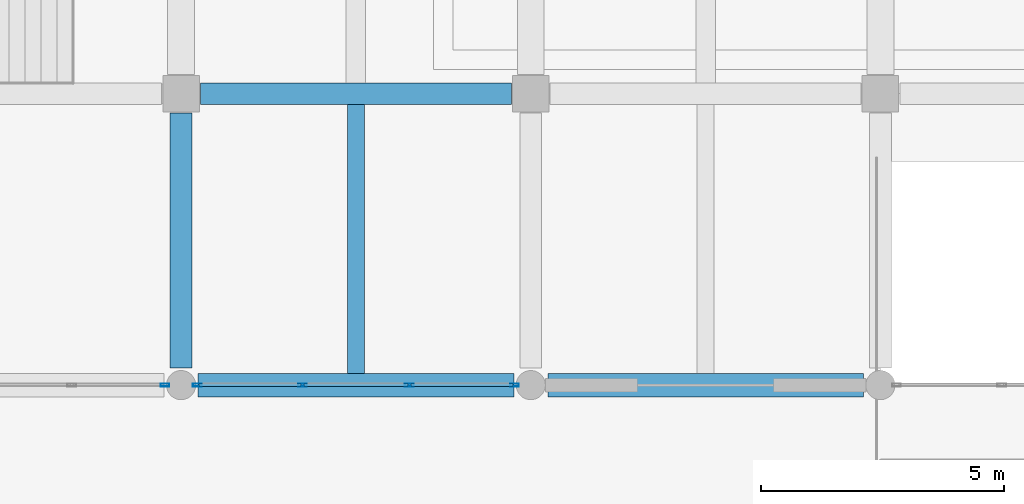
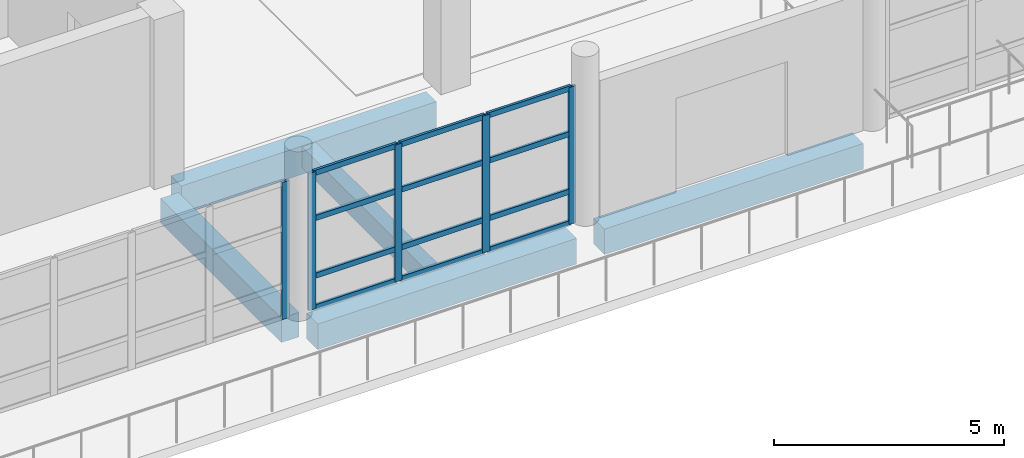
# One storey, part 5 of 71: 17 members, 5 beams, 2 elements without a shape of their own.
"""IFC4 building model written with IfcOpenShell, lengths in metres."""

from ifc_helpers import new_model, si_unit, direction, frame, origin, origin_2d, place, context, subcontext, project, spatial, rectangle, hollow_rectangle, extrude, material, material_profile, profile_set, type_object, element, aggregate, save


model = new_model("IFC4")

# Units and contexts
model_context = context("Model", 3, precision=1e-05, world=origin(), true_north=direction((0.0, 1.0)))
body_context = subcontext(model_context, "Body", "Model", "MODEL_VIEW")
ifc_project = project(units=[si_unit("LENGTHUNIT", "METRE"), si_unit("AREAUNIT", "SQUARE_METRE"), si_unit("VOLUMEUNIT", "CUBIC_METRE"), si_unit("PLANEANGLEUNIT", "RADIAN"), si_unit("MASSUNIT", "GRAM", prefix="KILO")], contexts=[model_context])

# Site, building, storey
site_placement = place(None, origin())
site = spatial("IfcSite", under=ifc_project, at=site_placement, CompositionType="ELEMENT")
building_placement = place(site_placement, origin())
building = spatial("IfcBuilding", under=site, at=building_placement, Name="Pellamere Symphony Hall", CompositionType="ELEMENT")
storey_placement = place(building_placement, frame((0.0, 0.0, 15.0)))
storey = spatial("IfcBuildingStorey", under=building, at=storey_placement, Name="L03", CompositionType="ELEMENT", Elevation=15.0)

# Curtain wall, member
ifc_material_1 = material(Name="Thermally Broken Anodised Aluminium 6063-T6 Curtain Wall", Category="aluminium")
curtain_wall_type = type_object("IfcCurtainWallType", Name="Curtain Wall CW-02 (Winter-Garden South Concourse Curtain Wall)", PredefinedType="NOTDEFINED", material=ifc_material_1)
curtain_wall_1_placement = place(storey_placement, origin())
curtain_wall_1 = element("IfcCurtainWall", 1, at=curtain_wall_1_placement, inside=storey, type_object=curtain_wall_type, Name="Winter-Garden South Curtain Wall (L03 Bay 2)", PredefinedType="NOTDEFINED")
ifc_material_2 = material(Name="Anodised Architectural Aluminium 6063-T6", Category="aluminium")
ifc_material_profile_1 = material_profile(ifc_material_2, hollow_rectangle(XDim=0.06494140625, YDim=0.179931640625, WallThickness=0.00390625, at=origin_2d()), Name="ALU-M65X180X4")
ifc_profile_set_1 = profile_set([ifc_material_profile_1], Name="Anodised Architectural Aluminium 6063-T6")
member_type_1 = type_object("IfcMemberType", Name="Curtain Wall Mullion ML-02 ALU-M65X180X4", PredefinedType="MULLION", material=ifc_profile_set_1)
member_1_placement = place(storey_placement, frame((58.467529296875, 24.0, 0.0), z_axis=(0.0, 0.0, 1.0), x_axis=(0.0, 1.0, 0.0)))
member_1 = element("IfcMember", 2, at=member_1_placement, type_object=member_type_1, Name="CW2-087 crystal mullion 5", PredefinedType="MULLION", context=body_context, shape_type="SweptSolid", body=[
    extrude(hollow_rectangle(XDim=0.06494140625, YDim=0.179931640625, WallThickness=0.00390625, at=origin_2d()), origin(), (0.0, 0.0, 1.0), 3.639892578125),
])
aggregate(curtain_wall_1, [member_1])

# Curtain wall, members
curtain_wall_2_placement = place(storey_placement, origin())
curtain_wall_2 = element("IfcCurtainWall", 3, at=curtain_wall_2_placement, inside=storey, type_object=curtain_wall_type, Name="Winter-Garden South Curtain Wall (L03 Bay 3)", PredefinedType="NOTDEFINED")
member_2_placement = place(storey_placement, frame((59.132568359375, 24.0, 0.0), z_axis=(0.0, 0.0, 1.0), x_axis=(0.0, 1.0, 0.0)))
member_2 = element("IfcMember", 4, at=member_2_placement, type_object=member_type_1, Name="CW2-088 crystal mullion 1", PredefinedType="MULLION", context=body_context, shape_type="SweptSolid", body=[
    extrude(hollow_rectangle(XDim=0.06494140625, YDim=0.179931640625, WallThickness=0.00390625, at=origin_2d()), origin(), (0.0, 0.0, 1.0), 3.639892578125),
])
member_3_placement = place(storey_placement, frame((61.300048828125, 24.0, 0.0), z_axis=(0.0, 0.0, 1.0), x_axis=(0.0, 1.0, 0.0)))
member_3 = element("IfcMember", 5, at=member_3_placement, type_object=member_type_1, Name="CW2-088 crystal mullion 2", PredefinedType="MULLION", context=body_context, shape_type="SweptSolid", body=[
    extrude(hollow_rectangle(XDim=0.06494140625, YDim=0.179931640625, WallThickness=0.00390625, at=origin_2d()), origin(), (0.0, 0.0, 1.0), 3.639892578125),
])
member_4_placement = place(storey_placement, frame((63.5, 24.0, 0.0), z_axis=(0.0, 0.0, 1.0), x_axis=(0.0, 1.0, 0.0)))
member_4 = element("IfcMember", 6, at=member_4_placement, type_object=member_type_1, Name="CW2-088 crystal mullion 3", PredefinedType="MULLION", context=body_context, shape_type="SweptSolid", body=[
    extrude(hollow_rectangle(XDim=0.06494140625, YDim=0.179931640625, WallThickness=0.00390625, at=origin_2d()), origin(), (0.0, 0.0, 1.0), 3.639892578125),
])
member_5_placement = place(storey_placement, frame((65.66748046875, 24.0, 0.0), z_axis=(0.0, 0.0, 1.0), x_axis=(0.0, 1.0, 0.0)))
member_5 = element("IfcMember", 7, at=member_5_placement, type_object=member_type_1, Name="CW2-088 crystal mullion 4", PredefinedType="MULLION", context=body_context, shape_type="SweptSolid", body=[
    extrude(hollow_rectangle(XDim=0.06494140625, YDim=0.179931640625, WallThickness=0.00390625, at=origin_2d()), origin(), (0.0, 0.0, 1.0), 3.639892578125),
])
ifc_material_profile_2 = material_profile(ifc_material_2, hollow_rectangle(XDim=0.06494140625, YDim=0.139892578125, WallThickness=0.00390625, at=origin_2d()), Name="ALU-T65X140X4")
ifc_profile_set_2 = profile_set([ifc_material_profile_2], Name="Anodised Architectural Aluminium 6063-T6")
member_type_2 = type_object("IfcMemberType", Name="Curtain Wall Transom TR-02 ALU-T65X140X4", PredefinedType="USERDEFINED", material=ifc_profile_set_2)
member_6_placement = place(storey_placement, frame((59.1650390625, 24.0, 0.032470703125), z_axis=(1.0, 0.0, 0.0), x_axis=(0.0, 1.0, 0.0)))
member_6 = element("IfcMember", 8, at=member_6_placement, type_object=member_type_2, Name="CW2-088 crystal transom 1.1", ObjectType="TRANSOM", PredefinedType="USERDEFINED", context=body_context, shape_type="SweptSolid", body=[
    extrude(hollow_rectangle(XDim=0.06494140625, YDim=0.139892578125, WallThickness=0.00390625, at=origin_2d()), origin(), (0.0, 0.0, 1.0), 2.1025390625),
])
member_7_placement = place(storey_placement, frame((59.1650390625, 24.0, 0.87353515625), z_axis=(1.0, 0.0, 0.0), x_axis=(0.0, 1.0, 0.0)))
member_7 = element("IfcMember", 9, at=member_7_placement, type_object=member_type_2, Name="CW2-088 crystal transom 1.2", ObjectType="TRANSOM", PredefinedType="USERDEFINED", context=body_context, shape_type="SweptSolid", body=[
    extrude(hollow_rectangle(XDim=0.06494140625, YDim=0.139892578125, WallThickness=0.00390625, at=origin_2d()), origin(), (0.0, 0.0, 1.0), 2.1025390625),
])
member_8_placement = place(storey_placement, frame((59.1650390625, 24.0, 2.40234375), z_axis=(1.0, 0.0, 0.0), x_axis=(0.0, 1.0, 0.0)))
member_8 = element("IfcMember", 10, at=member_8_placement, type_object=member_type_2, Name="CW2-088 crystal transom 1.3", ObjectType="TRANSOM", PredefinedType="USERDEFINED", context=body_context, shape_type="SweptSolid", body=[
    extrude(hollow_rectangle(XDim=0.06494140625, YDim=0.139892578125, WallThickness=0.00390625, at=origin_2d()), origin(), (0.0, 0.0, 1.0), 2.1025390625),
])
member_9_placement = place(storey_placement, frame((59.1650390625, 24.0, 3.607421875), z_axis=(1.0, 0.0, 0.0), x_axis=(0.0, 1.0, 0.0)))
member_9 = element("IfcMember", 11, at=member_9_placement, type_object=member_type_2, Name="CW2-088 crystal transom 1.4", ObjectType="TRANSOM", PredefinedType="USERDEFINED", context=body_context, shape_type="SweptSolid", body=[
    extrude(hollow_rectangle(XDim=0.06494140625, YDim=0.139892578125, WallThickness=0.00390625, at=origin_2d()), origin(), (0.0, 0.0, 1.0), 2.1025390625),
])
member_10_placement = place(storey_placement, frame((61.33251953125, 24.0, 0.032470703125), z_axis=(1.0, 0.0, 0.0), x_axis=(0.0, 1.0, 0.0)))
member_10 = element("IfcMember", 12, at=member_10_placement, type_object=member_type_2, Name="CW2-088 crystal transom 2.1", ObjectType="TRANSOM", PredefinedType="USERDEFINED", context=body_context, shape_type="SweptSolid", body=[
    extrude(hollow_rectangle(XDim=0.06494140625, YDim=0.139892578125, WallThickness=0.00390625, at=origin_2d()), origin(), (0.0, 0.0, 1.0), 2.135009765625),
])
member_11_placement = place(storey_placement, frame((61.33251953125, 24.0, 0.87353515625), z_axis=(1.0, 0.0, 0.0), x_axis=(0.0, 1.0, 0.0)))
member_11 = element("IfcMember", 13, at=member_11_placement, type_object=member_type_2, Name="CW2-088 crystal transom 2.2", ObjectType="TRANSOM", PredefinedType="USERDEFINED", context=body_context, shape_type="SweptSolid", body=[
    extrude(hollow_rectangle(XDim=0.06494140625, YDim=0.139892578125, WallThickness=0.00390625, at=origin_2d()), origin(), (0.0, 0.0, 1.0), 2.135009765625),
])
member_12_placement = place(storey_placement, frame((61.33251953125, 24.0, 2.40234375), z_axis=(1.0, 0.0, 0.0), x_axis=(0.0, 1.0, 0.0)))
member_12 = element("IfcMember", 14, at=member_12_placement, type_object=member_type_2, Name="CW2-088 crystal transom 2.3", ObjectType="TRANSOM", PredefinedType="USERDEFINED", context=body_context, shape_type="SweptSolid", body=[
    extrude(hollow_rectangle(XDim=0.06494140625, YDim=0.139892578125, WallThickness=0.00390625, at=origin_2d()), origin(), (0.0, 0.0, 1.0), 2.135009765625),
])
member_13_placement = place(storey_placement, frame((61.33251953125, 24.0, 3.607421875), z_axis=(1.0, 0.0, 0.0), x_axis=(0.0, 1.0, 0.0)))
member_13 = element("IfcMember", 15, at=member_13_placement, type_object=member_type_2, Name="CW2-088 crystal transom 2.4", ObjectType="TRANSOM", PredefinedType="USERDEFINED", context=body_context, shape_type="SweptSolid", body=[
    extrude(hollow_rectangle(XDim=0.06494140625, YDim=0.139892578125, WallThickness=0.00390625, at=origin_2d()), origin(), (0.0, 0.0, 1.0), 2.135009765625),
])
member_14_placement = place(storey_placement, frame((63.532470703125, 24.0, 0.032470703125), z_axis=(1.0, 0.0, 0.0), x_axis=(0.0, 1.0, 0.0)))
member_14 = element("IfcMember", 16, at=member_14_placement, type_object=member_type_2, Name="CW2-088 crystal transom 3.1", ObjectType="TRANSOM", PredefinedType="USERDEFINED", context=body_context, shape_type="SweptSolid", body=[
    extrude(hollow_rectangle(XDim=0.06494140625, YDim=0.139892578125, WallThickness=0.00390625, at=origin_2d()), origin(), (0.0, 0.0, 1.0), 2.1025390625),
])
member_15_placement = place(storey_placement, frame((63.532470703125, 24.0, 0.87353515625), z_axis=(1.0, 0.0, 0.0), x_axis=(0.0, 1.0, 0.0)))
member_15 = element("IfcMember", 17, at=member_15_placement, type_object=member_type_2, Name="CW2-088 crystal transom 3.2", ObjectType="TRANSOM", PredefinedType="USERDEFINED", context=body_context, shape_type="SweptSolid", body=[
    extrude(hollow_rectangle(XDim=0.06494140625, YDim=0.139892578125, WallThickness=0.00390625, at=origin_2d()), origin(), (0.0, 0.0, 1.0), 2.1025390625),
])
member_16_placement = place(storey_placement, frame((63.532470703125, 24.0, 2.40234375), z_axis=(1.0, 0.0, 0.0), x_axis=(0.0, 1.0, 0.0)))
member_16 = element("IfcMember", 18, at=member_16_placement, type_object=member_type_2, Name="CW2-088 crystal transom 3.3", ObjectType="TRANSOM", PredefinedType="USERDEFINED", context=body_context, shape_type="SweptSolid", body=[
    extrude(hollow_rectangle(XDim=0.06494140625, YDim=0.139892578125, WallThickness=0.00390625, at=origin_2d()), origin(), (0.0, 0.0, 1.0), 2.1025390625),
])
member_17_placement = place(storey_placement, frame((63.532470703125, 24.0, 3.607421875), z_axis=(1.0, 0.0, 0.0), x_axis=(0.0, 1.0, 0.0)))
member_17 = element("IfcMember", 19, at=member_17_placement, type_object=member_type_2, Name="CW2-088 crystal transom 3.4", ObjectType="TRANSOM", PredefinedType="USERDEFINED", context=body_context, shape_type="SweptSolid", body=[
    extrude(hollow_rectangle(XDim=0.06494140625, YDim=0.139892578125, WallThickness=0.00390625, at=origin_2d()), origin(), (0.0, 0.0, 1.0), 2.1025390625),
])
aggregate(curtain_wall_2, [member_2, member_3, member_4, member_5, member_6, member_7, member_8, member_9, member_10, member_11, member_12, member_13, member_14, member_15, member_16, member_17])

# Beams
ifc_material_3 = material(Name="Concrete 40 MPa", Category="concrete")
ifc_material_profile_3 = material_profile(ifc_material_3, rectangle(XDim=0.449951171875, YDim=0.64990234375, at=origin_2d()), Name="RC 450x650")
ifc_profile_set_3 = profile_set([ifc_material_profile_3], Name="Concrete 40 MPa")
beam_type_1 = type_object("IfcBeamType", Name="RC CB-08 450x650", PredefinedType="BEAM", material=ifc_profile_set_3)
beam_1_placement = place(storey_placement, frame((58.800048828125, 24.35009765625, -0.5849609375), z_axis=(0.0, 1.0, 0.0), x_axis=(-1.0, 0.0, 0.0)))
element("IfcBeam", 20, at=beam_1_placement, inside=storey, type_object=beam_type_1, Name="Girder CB-08-Y1612 (L03)", PredefinedType="BEAM", context=body_context, shape_type="SweptSolid", body=[
    extrude(rectangle(XDim=0.449951171875, YDim=0.64990234375, at=origin_2d()), origin(), (0.0, 0.0, 1.0), 5.25),
])
ifc_material_4 = material(Name="Concrete 35 MPa", Category="concrete")
ifc_material_profile_4 = material_profile(ifc_material_4, rectangle(XDim=0.35009765625, YDim=0.550048828125, at=origin_2d()), Name="RC 350x550")
ifc_profile_set_4 = profile_set([ifc_material_profile_4], Name="Concrete 35 MPa")
beam_type_2 = type_object("IfcBeamType", Name="RC CB-10 350x550", PredefinedType="BEAM", material=ifc_profile_set_4)
beam_2_placement = place(storey_placement, frame((62.39990234375, 24.239990234375, -0.550048828125), z_axis=(0.0, 1.0, 0.0), x_axis=(-1.0, 0.0, 0.0)))
element("IfcBeam", 21, at=beam_2_placement, inside=storey, type_object=beam_type_2, Name="Secondary Floor Beam CB-10-M0703 (L03)", PredefinedType="BEAM", context=body_context, shape_type="SweptSolid", body=[
    extrude(rectangle(XDim=0.35009765625, YDim=0.550048828125, at=origin_2d()), origin(), (0.0, 0.0, 1.0), 5.534912109375),
])
ifc_material_profile_5 = material_profile(ifc_material_3, rectangle(XDim=0.449951171875, YDim=0.75, at=origin_2d()), Name="RC 450x750")
ifc_profile_set_5 = profile_set([ifc_material_profile_5], Name="Concrete 40 MPa")
beam_type_3 = type_object("IfcBeamType", Name="RC CB-12 450x750", PredefinedType="SPANDREL", material=ifc_profile_set_5)
beam_3_placement = place(storey_placement, frame((59.199951171875, 30.0, -0.635009765625), z_axis=(1.0, 0.0, 0.0), x_axis=(0.0, 1.0, 0.0)))
element("IfcBeam", 22, at=beam_3_placement, inside=storey, type_object=beam_type_3, Name="Girder CB-12-X1507 (L03)", PredefinedType="SPANDREL", context=body_context, shape_type="SweptSolid", body=[
    extrude(rectangle(XDim=0.449951171875, YDim=0.75, at=origin_2d()), origin(), (0.0, 0.0, 1.0), 6.400146484375),
])
ifc_material_profile_6 = material_profile(ifc_material_3, rectangle(XDim=0.47998046875, YDim=0.679931640625, at=origin_2d()), Name="RC 480x680")
ifc_profile_set_6 = profile_set([ifc_material_profile_6], Name="Concrete 40 MPa")
beam_type_4 = type_object("IfcBeamType", Name="RC CB-19 480x680", PredefinedType="BEAM", material=ifc_profile_set_6)
for number, where, z_axis, x_axis, name in (
    (23, (59.14990234375, 24.0, -0.60009765625), (1.0, 0.0, 0.0), (0.0, 1.0, 0.0), "Girder CB-19-X1495 (L03)"),
    (24, (66.35009765625, 24.0, -0.60009765625), (1.0, 0.0, 0.0), (0.0, 1.0, 0.0), "Girder CB-19-X1496 (L03)"),
):
    element("IfcBeam", number, at=place(storey_placement, frame(where, z_axis=z_axis, x_axis=x_axis)), inside=storey, type_object=beam_type_4, Name=name, PredefinedType="BEAM", context=body_context, shape_type="SweptSolid", body=[
        extrude(rectangle(XDim=0.47998046875, YDim=0.679931640625, at=origin_2d()), origin(), (0.0, 0.0, 1.0), 6.5),
    ])

save(model, "model.ifc")
